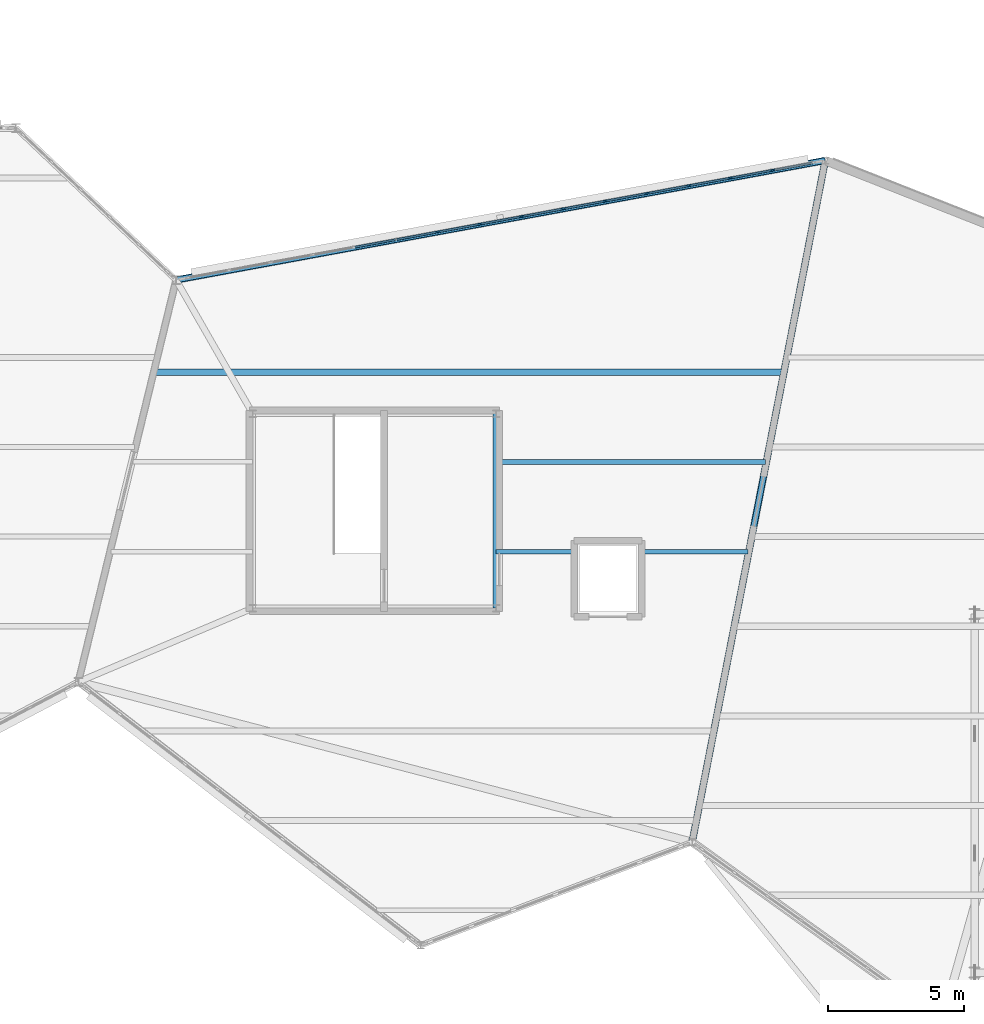
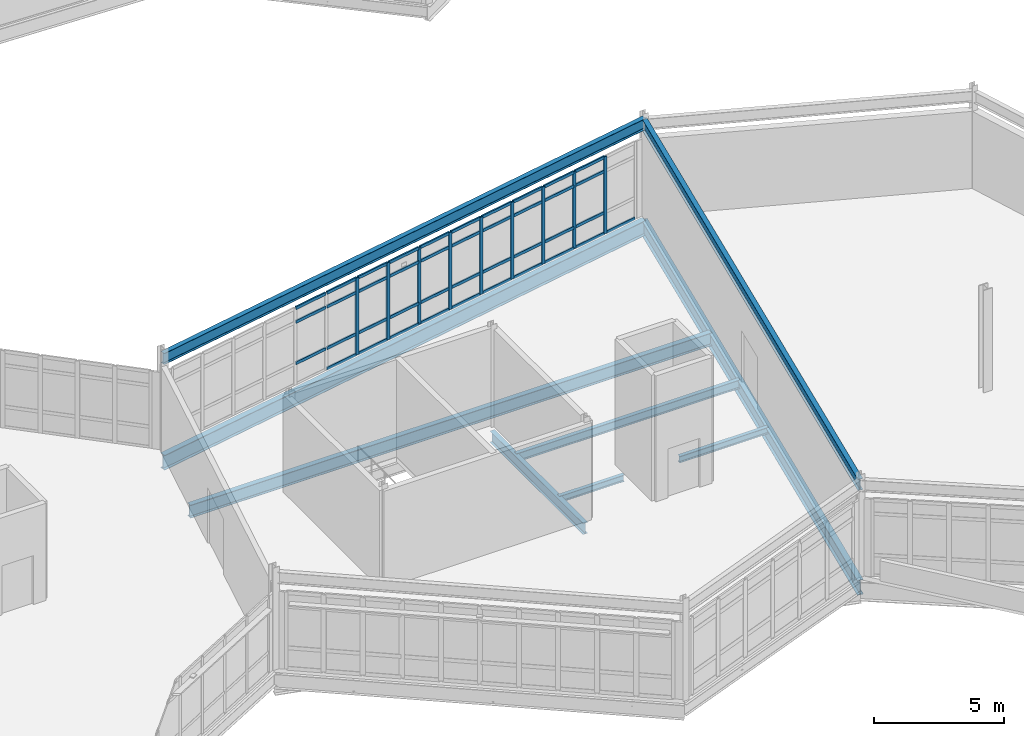
# One storey, part 29 of 76: 49 members, 9 beams, 1 element without a shape of its own.
"""IFC4 building model written with IfcOpenShell, lengths in metres."""

from ifc_helpers import new_model, si_unit, direction, frame, origin, origin_2d, place, context, subcontext, project, spatial, rectangle, i_section, extrude, material, material_profile, profile_set, type_object, element, aggregate, save


model = new_model("IFC4")

# Units and contexts
model_context = context("Model", 3, precision=1e-05, world=origin(), true_north=direction((0.0, 1.0)))
body_context = subcontext(model_context, "Body", "Model", "MODEL_VIEW")
ifc_project = project(units=[si_unit("LENGTHUNIT", "METRE"), si_unit("AREAUNIT", "SQUARE_METRE"), si_unit("VOLUMEUNIT", "CUBIC_METRE"), si_unit("PLANEANGLEUNIT", "RADIAN"), si_unit("MASSUNIT", "GRAM", prefix="KILO")], contexts=[model_context])

# Site, building, storey
site_placement = place(None, origin())
site = spatial("IfcSite", under=ifc_project, at=site_placement, CompositionType="ELEMENT")
building_placement = place(site_placement, origin())
building = spatial("IfcBuilding", under=site, at=building_placement, Name="Tameran Prism Museum", CompositionType="ELEMENT")
storey_placement = place(building_placement, frame((0.0, 0.0, 15.0)))
storey = spatial("IfcBuildingStorey", under=building, at=storey_placement, Name="L03", CompositionType="ELEMENT", Elevation=15.0)

# Beams
ifc_material_1 = material(Name="Steel Grade 300PLUS (300 MPa)", Category="steel")
ifc_material_profile_1 = material_profile(ifc_material_1, i_section(OverallWidth=0.166015625, OverallDepth=0.306884765625, WebThickness=0.006591796875, FlangeThickness=0.01171875, FilletRadius=0.011474609375, at=origin_2d()))
ifc_profile_set_1 = profile_set([ifc_material_profile_1])
beam_type_1 = type_object("IfcBeamType", Name="BM-J310A", PredefinedType="JOIST", material=ifc_profile_set_1)
beam_1_placement = place(storey_placement, frame((113.47998046875, 33.0, -0.37353515625), z_axis=(1.0, 0.0, 0.0), x_axis=(0.0, 1.0, 0.0)))
element("IfcBeam", 1, at=beam_1_placement, inside=storey, type_object=beam_type_1, Name="Floor Beam BM-1108", PredefinedType="JOIST", context=body_context, shape_type="SweptSolid", body=[
    extrude(i_section(OverallWidth=0.166015625, OverallDepth=0.306884765625, WebThickness=0.006591796875, FlangeThickness=0.01171875, FilletRadius=0.011474609375, at=origin_2d()), origin(), (0.0, 0.0, 1.0), 2.89013671875),
])
beam_2_placement = place(storey_placement, frame((118.830078125, 33.0, -0.37353515625), z_axis=(1.0, 0.0, 0.0), x_axis=(0.0, 1.0, 0.0)))
element("IfcBeam", 2, at=beam_2_placement, inside=storey, type_object=beam_type_1, Name="Floor Beam BM-1109", PredefinedType="JOIST", context=body_context, shape_type="SweptSolid", body=[
    extrude(i_section(OverallWidth=0.166015625, OverallDepth=0.306884765625, WebThickness=0.006591796875, FlangeThickness=0.01171875, FilletRadius=0.011474609375, at=origin_2d()), origin(), (0.0, 0.0, 1.0), 3.91796875),
])
ifc_material_2 = material(Name="Steel Grade 300PLUS (300 MPa)", Category="steel")
ifc_material_profile_2 = material_profile(ifc_material_2, i_section(OverallWidth=0.177978515625, OverallDepth=0.403076171875, WebThickness=0.007568359375, FlangeThickness=0.010986328125, FilletRadius=0.011474609375, at=origin_2d()))
ifc_profile_set_2 = profile_set([ifc_material_profile_2])
beam_type_2 = type_object("IfcBeamType", Name="BM-J410B", PredefinedType="JOIST", material=ifc_profile_set_2)
beam_3_placement = place(storey_placement, frame((113.47998046875, 36.300048828125, -0.42138671875), z_axis=(1.0, 0.0, 0.0), x_axis=(0.0, 1.0, 0.0)))
element("IfcBeam", 3, at=beam_3_placement, inside=storey, type_object=beam_type_2, Name="Floor Beam BM-1111", PredefinedType="JOIST", context=body_context, shape_type="SweptSolid", body=[
    extrude(i_section(OverallWidth=0.177978515625, OverallDepth=0.403076171875, WebThickness=0.007568359375, FlangeThickness=0.010986328125, FilletRadius=0.011474609375, at=origin_2d()), origin(), (0.0, 0.0, 1.0), 9.912109375),
])
ifc_material_3 = material(Name="Steel Grade 300PLUS (300 MPa)", Category="steel")
ifc_material_profile_3 = material_profile(ifc_material_3, i_section(OverallWidth=0.208984375, OverallDepth=0.528076171875, WebThickness=0.009521484375, FlangeThickness=0.01318359375, FilletRadius=0.013916015625, at=origin_2d()))
ifc_profile_set_3 = profile_set([ifc_material_profile_3])
beam_type_3 = type_object("IfcBeamType", Name="BM-SP530B", PredefinedType="SPANDREL", material=ifc_profile_set_3)
beam_4_placement = place(storey_placement, frame((120.699951171875, 22.300048828125, 4.256103515625), z_axis=(0.191608827438, 0.981471373626, 0.0), x_axis=(-0.981471373626, 0.191608827438, 0.0)))
element("IfcBeam", 4, at=beam_4_placement, inside=storey, type_object=beam_type_3, Name="Roof Ring Beam RB-0980", PredefinedType="SPANDREL", context=body_context, shape_type="SweptSolid", body=[
    extrude(i_section(OverallWidth=0.208984375, OverallDepth=0.528076171875, WebThickness=0.009521484375, FlangeThickness=0.01318359375, FilletRadius=0.013916015625, at=origin_2d()), origin(), (0.0, 0.0, 1.0), 25.57373046875),
])
beam_5_placement = place(storey_placement, frame((125.60009765625, 47.39990234375, 4.285888671875), z_axis=(-0.983473389275, -0.181052734272, 0.0), x_axis=(0.181052734272, -0.983473389275, 0.0)))
element("IfcBeam", 5, at=beam_5_placement, inside=storey, type_object=beam_type_3, Name="Roof Ring Beam RB-0981", PredefinedType="SPANDREL", context=body_context, shape_type="SweptSolid", body=[
    extrude(i_section(OverallWidth=0.208984375, OverallDepth=0.528076171875, WebThickness=0.009521484375, FlangeThickness=0.01318359375, FilletRadius=0.013916015625, at=origin_2d()), origin(), (0.0, 0.0, 1.0), 24.3017578125),
])
beam_6_placement = place(storey_placement, frame((113.47998046875, 30.919921875, -0.50390625), z_axis=(0.0, 1.0, 0.0), x_axis=(-1.0, 0.0, 0.0)))
element("IfcBeam", 6, at=beam_6_placement, inside=storey, type_object=beam_type_3, Name="Core Ring Beam CTB-1035", PredefinedType="SPANDREL", context=body_context, shape_type="SweptSolid", body=[
    extrude(i_section(OverallWidth=0.208984375, OverallDepth=0.528076171875, WebThickness=0.009521484375, FlangeThickness=0.01318359375, FilletRadius=0.013916015625, at=origin_2d()), origin(), (0.0, 0.0, 1.0), 7.16015625),
])
ifc_material_4 = material(Name="Steel Grade 350 (350 MPa)", Category="steel")
ifc_material_profile_4 = material_profile(ifc_material_4, i_section(OverallWidth=0.25, OverallDepth=0.699951171875, WebThickness=0.010009765625, FlangeThickness=0.02001953125, at=origin_2d()))
ifc_profile_set_4 = profile_set([ifc_material_profile_4])
beam_type_4 = type_object("IfcBeamType", Name="BM-SP700", PredefinedType="SPANDREL", material=ifc_profile_set_4)
beam_7_placement = place(storey_placement, frame((120.699951171875, 22.300048828125, -0.570068359375), z_axis=(0.191608827438, 0.981471373626, 0.0), x_axis=(-0.981471373626, 0.191608827438, 0.0)))
element("IfcBeam", 7, at=beam_7_placement, inside=storey, type_object=beam_type_4, Name="Perimeter Spandrel SP-0976", PredefinedType="SPANDREL", context=body_context, shape_type="SweptSolid", body=[
    extrude(i_section(OverallWidth=0.25, OverallDepth=0.699951171875, WebThickness=0.010009765625, FlangeThickness=0.02001953125, at=origin_2d()), origin(), (0.0, 0.0, 1.0), 25.57373046875),
])
beam_8_placement = place(storey_placement, frame((125.60009765625, 47.39990234375, -0.570068359375), z_axis=(-0.983473389275, -0.181052734272, 0.0), x_axis=(0.181052734272, -0.983473389275, 0.0)))
element("IfcBeam", 8, at=beam_8_placement, inside=storey, type_object=beam_type_4, Name="Perimeter Spandrel SP-0977", PredefinedType="SPANDREL", context=body_context, shape_type="SweptSolid", body=[
    extrude(i_section(OverallWidth=0.25, OverallDepth=0.699951171875, WebThickness=0.010009765625, FlangeThickness=0.02001953125, at=origin_2d()), origin(), (0.0, 0.0, 1.0), 24.3017578125),
])
ifc_material_5 = material(Name="Steel Grade 300PLUS (300 MPa)", Category="steel")
ifc_material_profile_5 = material_profile(ifc_material_5, i_section(OverallWidth=0.22802734375, OverallDepth=0.60693359375, WebThickness=0.01123046875, FlangeThickness=0.017333984375, FilletRadius=0.013916015625, at=origin_2d()))
ifc_profile_set_5 = profile_set([ifc_material_profile_5])
beam_type_5 = type_object("IfcBeamType", Name="BM-UB610B", PredefinedType="BEAM", material=ifc_profile_set_5)
beam_9_placement = place(storey_placement, frame((100.9140625, 39.60009765625, -0.5234375), z_axis=(1.0, 0.0, 0.0), x_axis=(0.0, 1.0, 0.0)))
element("IfcBeam", 9, at=beam_9_placement, inside=storey, type_object=beam_type_5, Name="Floor Beam BM-1112", PredefinedType="BEAM", context=body_context, shape_type="SweptSolid", body=[
    extrude(i_section(OverallWidth=0.22802734375, OverallDepth=0.60693359375, WebThickness=0.01123046875, FlangeThickness=0.017333984375, FilletRadius=0.013916015625, at=origin_2d()), origin(), (0.0, 0.0, 1.0), 23.123046875),
])

# Curtain wall, members
ifc_material_6 = material(Name="Anodised Aluminium 6063-T6 and Cyclone Solar Glass", Category="aluminium")
curtain_wall_type = type_object("IfcCurtainWallType", Name="CW-FAC-2348x362", PredefinedType="USERDEFINED", material=ifc_material_6)
curtain_wall_placement = place(storey_placement, origin())
curtain_wall = element("IfcCurtainWall", 10, at=curtain_wall_placement, inside=storey, type_object=curtain_wall_type, Name="Unitised Curtain Wall CW-147", ObjectType="UNITISED CURTAIN WALL", PredefinedType="USERDEFINED")
ifc_material_7 = material(Name="Anodised Aluminium Alloy 6063-T6", Category="aluminium")
ifc_material_profile_6 = material_profile(ifc_material_7, rectangle(XDim=0.06494140625, YDim=0.159912109375, at=origin_2d()))
ifc_profile_set_6 = profile_set([ifc_material_profile_6])
member_type_1 = type_object("IfcMemberType", Name="CW-MUL-A", PredefinedType="MULLION", material=ifc_profile_set_6)
member_1_placement = place(storey_placement, frame((111.339111328125, 44.7744140625, 0.0), z_axis=(0.0, 0.0, 1.0), x_axis=(-0.181062693106, 0.98347155585, 0.0)))
member_1 = element("IfcMember", 11, at=member_1_placement, type_object=member_type_1, Name="CW-147 mullion 7", PredefinedType="MULLION", context=body_context, shape_type="SweptSolid", body=[
    extrude(rectangle(XDim=0.06494140625, YDim=0.159912109375, at=origin_2d()), origin(), (0.0, 0.0, 1.0), 3.6201171875),
])
member_2_placement = place(storey_placement, frame((112.87841796875, 45.057861328125, 0.0), z_axis=(0.0, 0.0, 1.0), x_axis=(-0.181062693106, 0.98347155585, 0.0)))
member_2 = element("IfcMember", 12, at=member_2_placement, type_object=member_type_1, Name="CW-147 mullion 8", PredefinedType="MULLION", context=body_context, shape_type="SweptSolid", body=[
    extrude(rectangle(XDim=0.06494140625, YDim=0.159912109375, at=origin_2d()), origin(), (0.0, 0.0, 1.0), 3.6201171875),
])
member_3_placement = place(storey_placement, frame((114.417724609375, 45.34130859375, 0.0), z_axis=(0.0, 0.0, 1.0), x_axis=(-0.181062693106, 0.98347155585, 0.0)))
member_3 = element("IfcMember", 13, at=member_3_placement, type_object=member_type_1, Name="CW-147 mullion 9", PredefinedType="MULLION", context=body_context, shape_type="SweptSolid", body=[
    extrude(rectangle(XDim=0.06494140625, YDim=0.159912109375, at=origin_2d()), origin(), (0.0, 0.0, 1.0), 3.6201171875),
])
member_4_placement = place(storey_placement, frame((115.95703125, 45.62451171875, 0.0), z_axis=(0.0, 0.0, 1.0), x_axis=(-0.181062693106, 0.98347155585, 0.0)))
member_4 = element("IfcMember", 14, at=member_4_placement, type_object=member_type_1, Name="CW-147 mullion 10", PredefinedType="MULLION", context=body_context, shape_type="SweptSolid", body=[
    extrude(rectangle(XDim=0.06494140625, YDim=0.159912109375, at=origin_2d()), origin(), (0.0, 0.0, 1.0), 3.6201171875),
])
member_5_placement = place(storey_placement, frame((117.496337890625, 45.907958984375, 0.0), z_axis=(0.0, 0.0, 1.0), x_axis=(-0.181062693106, 0.98347155585, 0.0)))
member_5 = element("IfcMember", 15, at=member_5_placement, type_object=member_type_1, Name="CW-147 mullion 11", PredefinedType="MULLION", context=body_context, shape_type="SweptSolid", body=[
    extrude(rectangle(XDim=0.06494140625, YDim=0.159912109375, at=origin_2d()), origin(), (0.0, 0.0, 1.0), 3.6201171875),
])
member_6_placement = place(storey_placement, frame((119.03564453125, 46.19140625, 0.0), z_axis=(0.0, 0.0, 1.0), x_axis=(-0.181062693106, 0.98347155585, 0.0)))
member_6 = element("IfcMember", 16, at=member_6_placement, type_object=member_type_1, Name="CW-147 mullion 12", PredefinedType="MULLION", context=body_context, shape_type="SweptSolid", body=[
    extrude(rectangle(XDim=0.06494140625, YDim=0.159912109375, at=origin_2d()), origin(), (0.0, 0.0, 1.0), 3.6201171875),
])
member_7_placement = place(storey_placement, frame((120.574951171875, 46.474853515625, 0.0), z_axis=(0.0, 0.0, 1.0), x_axis=(-0.181062693106, 0.98347155585, 0.0)))
member_7 = element("IfcMember", 17, at=member_7_placement, type_object=member_type_1, Name="CW-147 mullion 13", PredefinedType="MULLION", context=body_context, shape_type="SweptSolid", body=[
    extrude(rectangle(XDim=0.06494140625, YDim=0.159912109375, at=origin_2d()), origin(), (0.0, 0.0, 1.0), 3.6201171875),
])
member_8_placement = place(storey_placement, frame((122.1142578125, 46.75830078125, 0.0), z_axis=(0.0, 0.0, 1.0), x_axis=(-0.181062693106, 0.98347155585, 0.0)))
member_8 = element("IfcMember", 18, at=member_8_placement, type_object=member_type_1, Name="CW-147 mullion 14", PredefinedType="MULLION", context=body_context, shape_type="SweptSolid", body=[
    extrude(rectangle(XDim=0.06494140625, YDim=0.159912109375, at=origin_2d()), origin(), (0.0, 0.0, 1.0), 3.6201171875),
])
member_9_placement = place(storey_placement, frame((123.653564453125, 47.04150390625, 0.0), z_axis=(0.0, 0.0, 1.0), x_axis=(-0.181062693106, 0.98347155585, 0.0)))
member_9 = element("IfcMember", 19, at=member_9_placement, type_object=member_type_1, Name="CW-147 mullion 15", PredefinedType="MULLION", context=body_context, shape_type="SweptSolid", body=[
    extrude(rectangle(XDim=0.06494140625, YDim=0.159912109375, at=origin_2d()), origin(), (0.0, 0.0, 1.0), 3.6201171875),
])
ifc_material_8 = material(Name="Anodised Aluminium Alloy 6063-T6", Category="aluminium")
ifc_material_profile_7 = material_profile(ifc_material_8, rectangle(XDim=0.06494140625, YDim=0.139892578125, at=origin_2d()))
ifc_profile_set_7 = profile_set([ifc_material_profile_7])
member_type_2 = type_object("IfcMemberType", Name="CW-TRN-A", PredefinedType="USERDEFINED", material=ifc_profile_set_7)
member_10_placement = place(storey_placement, frame((108.292236328125, 44.21337890625, 1.0), z_axis=(0.983463867592, 0.181104448152, 0.0), x_axis=(-0.181104448152, 0.983463867592, 0.0)))
member_10 = element("IfcMember", 20, at=member_10_placement, type_object=member_type_2, Name="CW-147 transom 5.2", ObjectType="TRANSOM", PredefinedType="USERDEFINED", context=body_context, shape_type="SweptSolid", body=[
    extrude(rectangle(XDim=0.06494140625, YDim=0.139892578125, at=origin_2d()), origin(), (0.0, 0.0, 1.0), 1.50048828125),
])
member_11_placement = place(storey_placement, frame((108.292236328125, 44.21337890625, 2.93994140625), z_axis=(0.983463867592, 0.181104448152, 0.0), x_axis=(-0.181104448152, 0.983463867592, 0.0)))
member_11 = element("IfcMember", 21, at=member_11_placement, type_object=member_type_2, Name="CW-147 transom 5.3", ObjectType="TRANSOM", PredefinedType="USERDEFINED", context=body_context, shape_type="SweptSolid", body=[
    extrude(rectangle(XDim=0.06494140625, YDim=0.139892578125, at=origin_2d()), origin(), (0.0, 0.0, 1.0), 1.50048828125),
])
member_12_placement = place(storey_placement, frame((108.292236328125, 44.21337890625, 3.58740234375), z_axis=(0.983463867592, 0.181104448152, 0.0), x_axis=(-0.181104448152, 0.983463867592, 0.0)))
member_12 = element("IfcMember", 22, at=member_12_placement, type_object=member_type_2, Name="CW-147 transom 5.4", ObjectType="TRANSOM", PredefinedType="USERDEFINED", context=body_context, shape_type="SweptSolid", body=[
    extrude(rectangle(XDim=0.06494140625, YDim=0.139892578125, at=origin_2d()), origin(), (0.0, 0.0, 1.0), 1.50048828125),
])
member_13_placement = place(storey_placement, frame((109.83154296875, 44.496826171875, 0.032470703125), z_axis=(0.983463867592, 0.181104448152, 0.0), x_axis=(-0.181104448152, 0.983463867592, 0.0)))
member_13 = element("IfcMember", 23, at=member_13_placement, type_object=member_type_2, Name="CW-147 transom 6.1", ObjectType="TRANSOM", PredefinedType="USERDEFINED", context=body_context, shape_type="SweptSolid", body=[
    extrude(rectangle(XDim=0.06494140625, YDim=0.139892578125, at=origin_2d()), origin(), (0.0, 0.0, 1.0), 1.50048828125),
])
member_14_placement = place(storey_placement, frame((109.83154296875, 44.496826171875, 1.0), z_axis=(0.983463867592, 0.181104448152, 0.0), x_axis=(-0.181104448152, 0.983463867592, 0.0)))
member_14 = element("IfcMember", 24, at=member_14_placement, type_object=member_type_2, Name="CW-147 transom 6.2", ObjectType="TRANSOM", PredefinedType="USERDEFINED", context=body_context, shape_type="SweptSolid", body=[
    extrude(rectangle(XDim=0.06494140625, YDim=0.139892578125, at=origin_2d()), origin(), (0.0, 0.0, 1.0), 1.50048828125),
])
member_15_placement = place(storey_placement, frame((109.83154296875, 44.496826171875, 2.93994140625), z_axis=(0.983463867592, 0.181104448152, 0.0), x_axis=(-0.181104448152, 0.983463867592, 0.0)))
member_15 = element("IfcMember", 25, at=member_15_placement, type_object=member_type_2, Name="CW-147 transom 6.3", ObjectType="TRANSOM", PredefinedType="USERDEFINED", context=body_context, shape_type="SweptSolid", body=[
    extrude(rectangle(XDim=0.06494140625, YDim=0.139892578125, at=origin_2d()), origin(), (0.0, 0.0, 1.0), 1.50048828125),
])
member_16_placement = place(storey_placement, frame((109.83154296875, 44.496826171875, 3.58740234375), z_axis=(0.983463867592, 0.181104448152, 0.0), x_axis=(-0.181104448152, 0.983463867592, 0.0)))
member_16 = element("IfcMember", 26, at=member_16_placement, type_object=member_type_2, Name="CW-147 transom 6.4", ObjectType="TRANSOM", PredefinedType="USERDEFINED", context=body_context, shape_type="SweptSolid", body=[
    extrude(rectangle(XDim=0.06494140625, YDim=0.139892578125, at=origin_2d()), origin(), (0.0, 0.0, 1.0), 1.50048828125),
])
member_17_placement = place(storey_placement, frame((111.370849609375, 44.7802734375, 0.032470703125), z_axis=(0.983463867592, 0.181104448152, 0.0), x_axis=(-0.181104448152, 0.983463867592, 0.0)))
member_17 = element("IfcMember", 27, at=member_17_placement, type_object=member_type_2, Name="CW-147 transom 7.1", ObjectType="TRANSOM", PredefinedType="USERDEFINED", context=body_context, shape_type="SweptSolid", body=[
    extrude(rectangle(XDim=0.06494140625, YDim=0.139892578125, at=origin_2d()), origin(), (0.0, 0.0, 1.0), 1.50048828125),
])
member_18_placement = place(storey_placement, frame((111.370849609375, 44.7802734375, 1.0), z_axis=(0.983463867592, 0.181104448152, 0.0), x_axis=(-0.181104448152, 0.983463867592, 0.0)))
member_18 = element("IfcMember", 28, at=member_18_placement, type_object=member_type_2, Name="CW-147 transom 7.2", ObjectType="TRANSOM", PredefinedType="USERDEFINED", context=body_context, shape_type="SweptSolid", body=[
    extrude(rectangle(XDim=0.06494140625, YDim=0.139892578125, at=origin_2d()), origin(), (0.0, 0.0, 1.0), 1.50048828125),
])
member_19_placement = place(storey_placement, frame((111.370849609375, 44.7802734375, 2.93994140625), z_axis=(0.983463867592, 0.181104448152, 0.0), x_axis=(-0.181104448152, 0.983463867592, 0.0)))
member_19 = element("IfcMember", 29, at=member_19_placement, type_object=member_type_2, Name="CW-147 transom 7.3", ObjectType="TRANSOM", PredefinedType="USERDEFINED", context=body_context, shape_type="SweptSolid", body=[
    extrude(rectangle(XDim=0.06494140625, YDim=0.139892578125, at=origin_2d()), origin(), (0.0, 0.0, 1.0), 1.50048828125),
])
member_20_placement = place(storey_placement, frame((111.370849609375, 44.7802734375, 3.58740234375), z_axis=(0.983463867592, 0.181104448152, 0.0), x_axis=(-0.181104448152, 0.983463867592, 0.0)))
member_20 = element("IfcMember", 30, at=member_20_placement, type_object=member_type_2, Name="CW-147 transom 7.4", ObjectType="TRANSOM", PredefinedType="USERDEFINED", context=body_context, shape_type="SweptSolid", body=[
    extrude(rectangle(XDim=0.06494140625, YDim=0.139892578125, at=origin_2d()), origin(), (0.0, 0.0, 1.0), 1.50048828125),
])
member_21_placement = place(storey_placement, frame((112.910400390625, 45.063720703125, 0.032470703125), z_axis=(0.983487508292, 0.180976023369, 0.0), x_axis=(-0.180976023369, 0.983487508292, 0.0)))
member_21 = element("IfcMember", 31, at=member_21_placement, type_object=member_type_2, Name="CW-147 transom 8.1", ObjectType="TRANSOM", PredefinedType="USERDEFINED", context=body_context, shape_type="SweptSolid", body=[
    extrude(rectangle(XDim=0.06494140625, YDim=0.139892578125, at=origin_2d()), origin(), (0.0, 0.0, 1.0), 1.5),
])
member_22_placement = place(storey_placement, frame((112.910400390625, 45.063720703125, 1.0), z_axis=(0.983487508292, 0.180976023369, 0.0), x_axis=(-0.180976023369, 0.983487508292, 0.0)))
member_22 = element("IfcMember", 32, at=member_22_placement, type_object=member_type_2, Name="CW-147 transom 8.2", ObjectType="TRANSOM", PredefinedType="USERDEFINED", context=body_context, shape_type="SweptSolid", body=[
    extrude(rectangle(XDim=0.06494140625, YDim=0.139892578125, at=origin_2d()), origin(), (0.0, 0.0, 1.0), 1.5),
])
member_23_placement = place(storey_placement, frame((112.910400390625, 45.063720703125, 2.93994140625), z_axis=(0.983487508292, 0.180976023369, 0.0), x_axis=(-0.180976023369, 0.983487508292, 0.0)))
member_23 = element("IfcMember", 33, at=member_23_placement, type_object=member_type_2, Name="CW-147 transom 8.3", ObjectType="TRANSOM", PredefinedType="USERDEFINED", context=body_context, shape_type="SweptSolid", body=[
    extrude(rectangle(XDim=0.06494140625, YDim=0.139892578125, at=origin_2d()), origin(), (0.0, 0.0, 1.0), 1.5),
])
member_24_placement = place(storey_placement, frame((112.910400390625, 45.063720703125, 3.58740234375), z_axis=(0.983487508292, 0.180976023369, 0.0), x_axis=(-0.180976023369, 0.983487508292, 0.0)))
member_24 = element("IfcMember", 34, at=member_24_placement, type_object=member_type_2, Name="CW-147 transom 8.4", ObjectType="TRANSOM", PredefinedType="USERDEFINED", context=body_context, shape_type="SweptSolid", body=[
    extrude(rectangle(XDim=0.06494140625, YDim=0.139892578125, at=origin_2d()), origin(), (0.0, 0.0, 1.0), 1.5),
])
member_25_placement = place(storey_placement, frame((114.44970703125, 45.34716796875, 0.032470703125), z_axis=(0.983487508292, 0.180976023369, 0.0), x_axis=(-0.180976023369, 0.983487508292, 0.0)))
member_25 = element("IfcMember", 35, at=member_25_placement, type_object=member_type_2, Name="CW-147 transom 9.1", ObjectType="TRANSOM", PredefinedType="USERDEFINED", context=body_context, shape_type="SweptSolid", body=[
    extrude(rectangle(XDim=0.06494140625, YDim=0.139892578125, at=origin_2d()), origin(), (0.0, 0.0, 1.0), 1.5),
])
member_26_placement = place(storey_placement, frame((114.44970703125, 45.34716796875, 1.0), z_axis=(0.983487508292, 0.180976023369, 0.0), x_axis=(-0.180976023369, 0.983487508292, 0.0)))
member_26 = element("IfcMember", 36, at=member_26_placement, type_object=member_type_2, Name="CW-147 transom 9.2", ObjectType="TRANSOM", PredefinedType="USERDEFINED", context=body_context, shape_type="SweptSolid", body=[
    extrude(rectangle(XDim=0.06494140625, YDim=0.139892578125, at=origin_2d()), origin(), (0.0, 0.0, 1.0), 1.5),
])
member_27_placement = place(storey_placement, frame((114.44970703125, 45.34716796875, 2.93994140625), z_axis=(0.983487508292, 0.180976023369, 0.0), x_axis=(-0.180976023369, 0.983487508292, 0.0)))
member_27 = element("IfcMember", 37, at=member_27_placement, type_object=member_type_2, Name="CW-147 transom 9.3", ObjectType="TRANSOM", PredefinedType="USERDEFINED", context=body_context, shape_type="SweptSolid", body=[
    extrude(rectangle(XDim=0.06494140625, YDim=0.139892578125, at=origin_2d()), origin(), (0.0, 0.0, 1.0), 1.5),
])
member_28_placement = place(storey_placement, frame((114.44970703125, 45.34716796875, 3.58740234375), z_axis=(0.983487508292, 0.180976023369, 0.0), x_axis=(-0.180976023369, 0.983487508292, 0.0)))
member_28 = element("IfcMember", 38, at=member_28_placement, type_object=member_type_2, Name="CW-147 transom 9.4", ObjectType="TRANSOM", PredefinedType="USERDEFINED", context=body_context, shape_type="SweptSolid", body=[
    extrude(rectangle(XDim=0.06494140625, YDim=0.139892578125, at=origin_2d()), origin(), (0.0, 0.0, 1.0), 1.5),
])
member_29_placement = place(storey_placement, frame((115.989013671875, 45.63037109375, 0.032470703125), z_axis=(0.983458529373, 0.181133434253, 0.0), x_axis=(-0.181133434253, 0.983458529373, 0.0)))
member_29 = element("IfcMember", 39, at=member_29_placement, type_object=member_type_2, Name="CW-147 transom 10.1", ObjectType="TRANSOM", PredefinedType="USERDEFINED", context=body_context, shape_type="SweptSolid", body=[
    extrude(rectangle(XDim=0.06494140625, YDim=0.139892578125, at=origin_2d()), origin(), (0.0, 0.0, 1.0), 1.500244140625),
])
member_30_placement = place(storey_placement, frame((115.989013671875, 45.63037109375, 1.0), z_axis=(0.983458529373, 0.181133434253, 0.0), x_axis=(-0.181133434253, 0.983458529373, 0.0)))
member_30 = element("IfcMember", 40, at=member_30_placement, type_object=member_type_2, Name="CW-147 transom 10.2", ObjectType="TRANSOM", PredefinedType="USERDEFINED", context=body_context, shape_type="SweptSolid", body=[
    extrude(rectangle(XDim=0.06494140625, YDim=0.139892578125, at=origin_2d()), origin(), (0.0, 0.0, 1.0), 1.500244140625),
])
member_31_placement = place(storey_placement, frame((115.989013671875, 45.63037109375, 2.93994140625), z_axis=(0.983458529373, 0.181133434253, 0.0), x_axis=(-0.181133434253, 0.983458529373, 0.0)))
member_31 = element("IfcMember", 41, at=member_31_placement, type_object=member_type_2, Name="CW-147 transom 10.3", ObjectType="TRANSOM", PredefinedType="USERDEFINED", context=body_context, shape_type="SweptSolid", body=[
    extrude(rectangle(XDim=0.06494140625, YDim=0.139892578125, at=origin_2d()), origin(), (0.0, 0.0, 1.0), 1.500244140625),
])
member_32_placement = place(storey_placement, frame((115.989013671875, 45.63037109375, 3.58740234375), z_axis=(0.983458529373, 0.181133434253, 0.0), x_axis=(-0.181133434253, 0.983458529373, 0.0)))
member_32 = element("IfcMember", 42, at=member_32_placement, type_object=member_type_2, Name="CW-147 transom 10.4", ObjectType="TRANSOM", PredefinedType="USERDEFINED", context=body_context, shape_type="SweptSolid", body=[
    extrude(rectangle(XDim=0.06494140625, YDim=0.139892578125, at=origin_2d()), origin(), (0.0, 0.0, 1.0), 1.500244140625),
])
member_33_placement = place(storey_placement, frame((117.5283203125, 45.913818359375, 0.032470703125), z_axis=(0.983458529373, 0.181133434253, 0.0), x_axis=(-0.181133434253, 0.983458529373, 0.0)))
member_33 = element("IfcMember", 43, at=member_33_placement, type_object=member_type_2, Name="CW-147 transom 11.1", ObjectType="TRANSOM", PredefinedType="USERDEFINED", context=body_context, shape_type="SweptSolid", body=[
    extrude(rectangle(XDim=0.06494140625, YDim=0.139892578125, at=origin_2d()), origin(), (0.0, 0.0, 1.0), 1.500244140625),
])
member_34_placement = place(storey_placement, frame((117.5283203125, 45.913818359375, 1.0), z_axis=(0.983458529373, 0.181133434253, 0.0), x_axis=(-0.181133434253, 0.983458529373, 0.0)))
member_34 = element("IfcMember", 44, at=member_34_placement, type_object=member_type_2, Name="CW-147 transom 11.2", ObjectType="TRANSOM", PredefinedType="USERDEFINED", context=body_context, shape_type="SweptSolid", body=[
    extrude(rectangle(XDim=0.06494140625, YDim=0.139892578125, at=origin_2d()), origin(), (0.0, 0.0, 1.0), 1.500244140625),
])
member_35_placement = place(storey_placement, frame((117.5283203125, 45.913818359375, 2.93994140625), z_axis=(0.983458529373, 0.181133434253, 0.0), x_axis=(-0.181133434253, 0.983458529373, 0.0)))
member_35 = element("IfcMember", 45, at=member_35_placement, type_object=member_type_2, Name="CW-147 transom 11.3", ObjectType="TRANSOM", PredefinedType="USERDEFINED", context=body_context, shape_type="SweptSolid", body=[
    extrude(rectangle(XDim=0.06494140625, YDim=0.139892578125, at=origin_2d()), origin(), (0.0, 0.0, 1.0), 1.500244140625),
])
member_36_placement = place(storey_placement, frame((117.5283203125, 45.913818359375, 3.58740234375), z_axis=(0.983458529373, 0.181133434253, 0.0), x_axis=(-0.181133434253, 0.983458529373, 0.0)))
member_36 = element("IfcMember", 46, at=member_36_placement, type_object=member_type_2, Name="CW-147 transom 11.4", ObjectType="TRANSOM", PredefinedType="USERDEFINED", context=body_context, shape_type="SweptSolid", body=[
    extrude(rectangle(XDim=0.06494140625, YDim=0.139892578125, at=origin_2d()), origin(), (0.0, 0.0, 1.0), 1.500244140625),
])
member_37_placement = place(storey_placement, frame((119.067626953125, 46.197265625, 0.032470703125), z_axis=(0.983458529373, 0.181133434253, 0.0), x_axis=(-0.181133434253, 0.983458529373, 0.0)))
member_37 = element("IfcMember", 47, at=member_37_placement, type_object=member_type_2, Name="CW-147 transom 12.1", ObjectType="TRANSOM", PredefinedType="USERDEFINED", context=body_context, shape_type="SweptSolid", body=[
    extrude(rectangle(XDim=0.06494140625, YDim=0.139892578125, at=origin_2d()), origin(), (0.0, 0.0, 1.0), 1.500244140625),
])
member_38_placement = place(storey_placement, frame((119.067626953125, 46.197265625, 1.0), z_axis=(0.983458529373, 0.181133434253, 0.0), x_axis=(-0.181133434253, 0.983458529373, 0.0)))
member_38 = element("IfcMember", 48, at=member_38_placement, type_object=member_type_2, Name="CW-147 transom 12.2", ObjectType="TRANSOM", PredefinedType="USERDEFINED", context=body_context, shape_type="SweptSolid", body=[
    extrude(rectangle(XDim=0.06494140625, YDim=0.139892578125, at=origin_2d()), origin(), (0.0, 0.0, 1.0), 1.500244140625),
])
member_39_placement = place(storey_placement, frame((119.067626953125, 46.197265625, 2.93994140625), z_axis=(0.983458529373, 0.181133434253, 0.0), x_axis=(-0.181133434253, 0.983458529373, 0.0)))
member_39 = element("IfcMember", 49, at=member_39_placement, type_object=member_type_2, Name="CW-147 transom 12.3", ObjectType="TRANSOM", PredefinedType="USERDEFINED", context=body_context, shape_type="SweptSolid", body=[
    extrude(rectangle(XDim=0.06494140625, YDim=0.139892578125, at=origin_2d()), origin(), (0.0, 0.0, 1.0), 1.500244140625),
])
member_40_placement = place(storey_placement, frame((119.067626953125, 46.197265625, 3.58740234375), z_axis=(0.983458529373, 0.181133434253, 0.0), x_axis=(-0.181133434253, 0.983458529373, 0.0)))
member_40 = element("IfcMember", 50, at=member_40_placement, type_object=member_type_2, Name="CW-147 transom 12.4", ObjectType="TRANSOM", PredefinedType="USERDEFINED", context=body_context, shape_type="SweptSolid", body=[
    extrude(rectangle(XDim=0.06494140625, YDim=0.139892578125, at=origin_2d()), origin(), (0.0, 0.0, 1.0), 1.500244140625),
])
member_41_placement = place(storey_placement, frame((120.60693359375, 46.480712890625, 0.032470703125), z_axis=(0.983487508292, 0.180976023369, 0.0), x_axis=(-0.180976023369, 0.983487508292, 0.0)))
member_41 = element("IfcMember", 51, at=member_41_placement, type_object=member_type_2, Name="CW-147 transom 13.1", ObjectType="TRANSOM", PredefinedType="USERDEFINED", context=body_context, shape_type="SweptSolid", body=[
    extrude(rectangle(XDim=0.06494140625, YDim=0.139892578125, at=origin_2d()), origin(), (0.0, 0.0, 1.0), 1.5),
])
member_42_placement = place(storey_placement, frame((120.60693359375, 46.480712890625, 1.0), z_axis=(0.983487508292, 0.180976023369, 0.0), x_axis=(-0.180976023369, 0.983487508292, 0.0)))
member_42 = element("IfcMember", 52, at=member_42_placement, type_object=member_type_2, Name="CW-147 transom 13.2", ObjectType="TRANSOM", PredefinedType="USERDEFINED", context=body_context, shape_type="SweptSolid", body=[
    extrude(rectangle(XDim=0.06494140625, YDim=0.139892578125, at=origin_2d()), origin(), (0.0, 0.0, 1.0), 1.5),
])
member_43_placement = place(storey_placement, frame((120.60693359375, 46.480712890625, 2.93994140625), z_axis=(0.983487508292, 0.180976023369, 0.0), x_axis=(-0.180976023369, 0.983487508292, 0.0)))
member_43 = element("IfcMember", 53, at=member_43_placement, type_object=member_type_2, Name="CW-147 transom 13.3", ObjectType="TRANSOM", PredefinedType="USERDEFINED", context=body_context, shape_type="SweptSolid", body=[
    extrude(rectangle(XDim=0.06494140625, YDim=0.139892578125, at=origin_2d()), origin(), (0.0, 0.0, 1.0), 1.5),
])
member_44_placement = place(storey_placement, frame((120.60693359375, 46.480712890625, 3.58740234375), z_axis=(0.983487508292, 0.180976023369, 0.0), x_axis=(-0.180976023369, 0.983487508292, 0.0)))
member_44 = element("IfcMember", 54, at=member_44_placement, type_object=member_type_2, Name="CW-147 transom 13.4", ObjectType="TRANSOM", PredefinedType="USERDEFINED", context=body_context, shape_type="SweptSolid", body=[
    extrude(rectangle(XDim=0.06494140625, YDim=0.139892578125, at=origin_2d()), origin(), (0.0, 0.0, 1.0), 1.5),
])
member_45_placement = place(storey_placement, frame((122.146240234375, 46.76416015625, 0.032470703125), z_axis=(0.983487508292, 0.180976023369, 0.0), x_axis=(-0.180976023369, 0.983487508292, 0.0)))
member_45 = element("IfcMember", 55, at=member_45_placement, type_object=member_type_2, Name="CW-147 transom 14.1", ObjectType="TRANSOM", PredefinedType="USERDEFINED", context=body_context, shape_type="SweptSolid", body=[
    extrude(rectangle(XDim=0.06494140625, YDim=0.139892578125, at=origin_2d()), origin(), (0.0, 0.0, 1.0), 1.5),
])
member_46_placement = place(storey_placement, frame((122.146240234375, 46.76416015625, 1.0), z_axis=(0.983487508292, 0.180976023369, 0.0), x_axis=(-0.180976023369, 0.983487508292, 0.0)))
member_46 = element("IfcMember", 56, at=member_46_placement, type_object=member_type_2, Name="CW-147 transom 14.2", ObjectType="TRANSOM", PredefinedType="USERDEFINED", context=body_context, shape_type="SweptSolid", body=[
    extrude(rectangle(XDim=0.06494140625, YDim=0.139892578125, at=origin_2d()), origin(), (0.0, 0.0, 1.0), 1.5),
])
member_47_placement = place(storey_placement, frame((122.146240234375, 46.76416015625, 2.93994140625), z_axis=(0.983487508292, 0.180976023369, 0.0), x_axis=(-0.180976023369, 0.983487508292, 0.0)))
member_47 = element("IfcMember", 57, at=member_47_placement, type_object=member_type_2, Name="CW-147 transom 14.3", ObjectType="TRANSOM", PredefinedType="USERDEFINED", context=body_context, shape_type="SweptSolid", body=[
    extrude(rectangle(XDim=0.06494140625, YDim=0.139892578125, at=origin_2d()), origin(), (0.0, 0.0, 1.0), 1.5),
])
member_48_placement = place(storey_placement, frame((122.146240234375, 46.76416015625, 3.58740234375), z_axis=(0.983487508292, 0.180976023369, 0.0), x_axis=(-0.180976023369, 0.983487508292, 0.0)))
member_48 = element("IfcMember", 58, at=member_48_placement, type_object=member_type_2, Name="CW-147 transom 14.4", ObjectType="TRANSOM", PredefinedType="USERDEFINED", context=body_context, shape_type="SweptSolid", body=[
    extrude(rectangle(XDim=0.06494140625, YDim=0.139892578125, at=origin_2d()), origin(), (0.0, 0.0, 1.0), 1.5),
])
member_49_placement = place(storey_placement, frame((123.685546875, 47.04736328125, 0.032470703125), z_axis=(0.983460206114, 0.181124330198, 0.0), x_axis=(-0.181124330198, 0.983460206114, 0.0)))
member_49 = element("IfcMember", 59, at=member_49_placement, type_object=member_type_2, Name="CW-147 transom 15.1", ObjectType="TRANSOM", PredefinedType="USERDEFINED", context=body_context, shape_type="SweptSolid", body=[
    extrude(rectangle(XDim=0.06494140625, YDim=0.139892578125, at=origin_2d()), origin(), (0.0, 0.0, 1.0), 1.4677734375),
])
aggregate(curtain_wall, [member_1, member_2, member_3, member_4, member_5, member_6, member_7, member_8, member_9, member_10, member_11, member_12, member_13, member_14, member_15, member_16, member_17, member_18, member_19, member_20, member_21, member_22, member_23, member_24, member_25, member_26, member_27, member_28, member_29, member_30, member_31, member_32, member_33, member_34, member_35, member_36, member_37, member_38, member_39, member_40, member_41, member_42, member_43, member_44, member_45, member_46, member_47, member_48, member_49])

save(model, "model.ifc")
